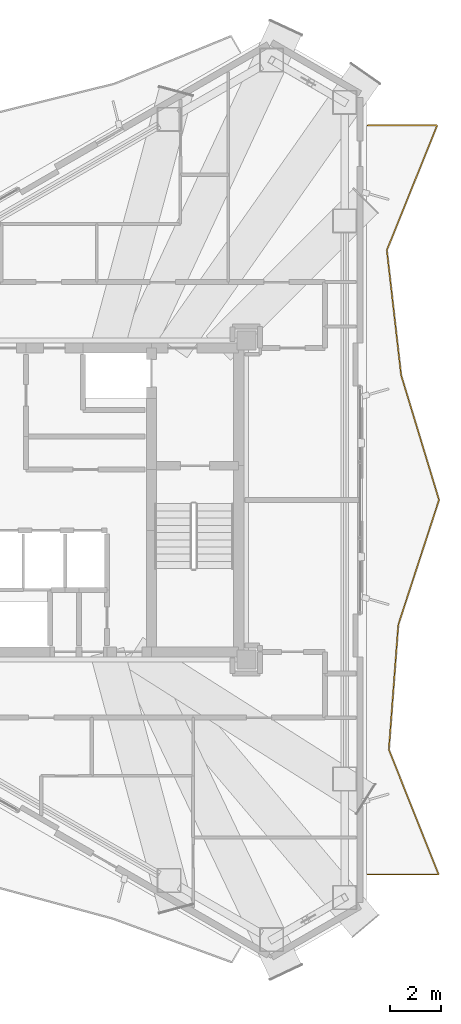
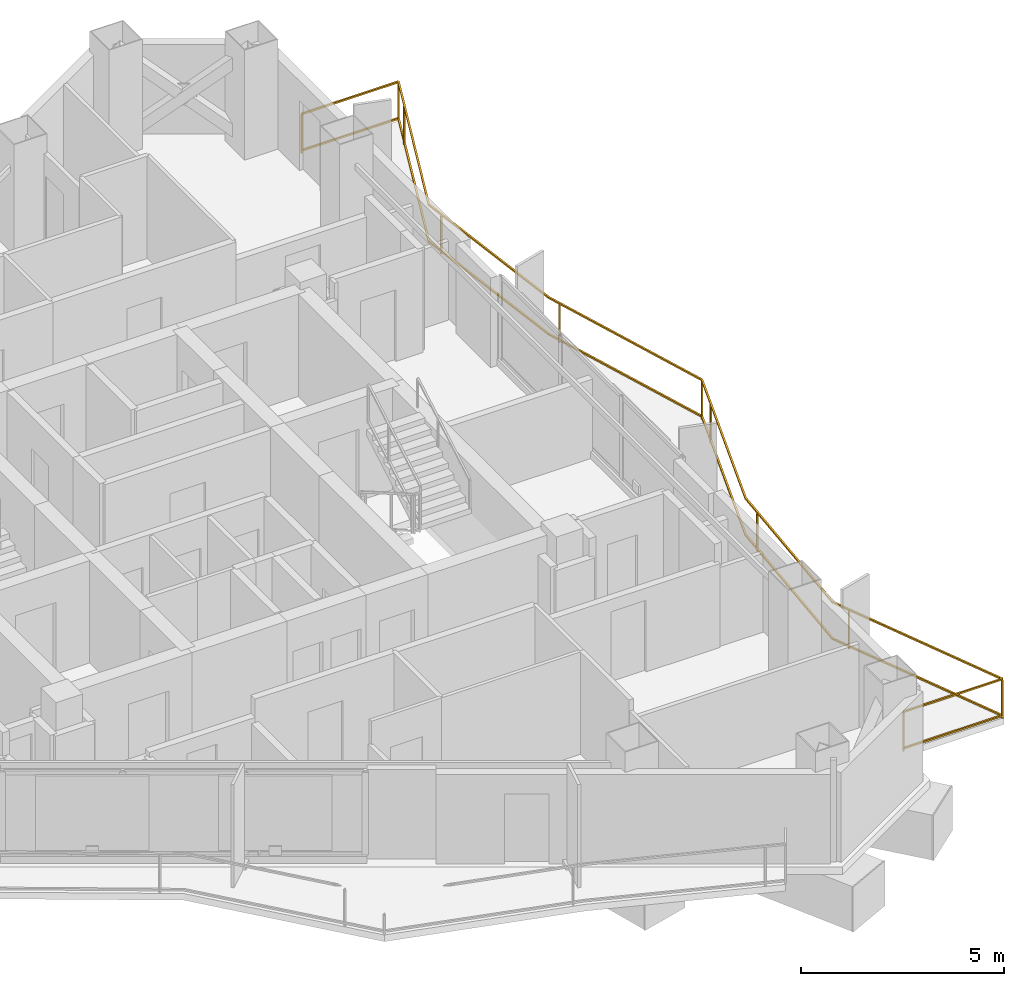
# One storey, part 19 of 19: 1 railing.
"""IFC4 building model written with IfcOpenShell, lengths in metres."""

from ifc_helpers import new_model, si_unit, direction, frame, origin, origin_2d, place, context, subcontext, project, spatial, rectangle, extrude, material, type_object, element, save


model = new_model("IFC4")

# Units and contexts
model_context = context("Model", 3, precision=1e-05, world=origin(), true_north=direction((0.0, 1.0)))
body_context = subcontext(model_context, "Body", "Model", "MODEL_VIEW")
ifc_project = project(units=[si_unit("LENGTHUNIT", "METRE"), si_unit("AREAUNIT", "SQUARE_METRE"), si_unit("VOLUMEUNIT", "CUBIC_METRE"), si_unit("PLANEANGLEUNIT", "RADIAN"), si_unit("MASSUNIT", "GRAM", prefix="KILO")], contexts=[model_context])

# Site, building, storey
site_placement = place(None, origin())
site = spatial("IfcSite", under=ifc_project, at=site_placement, CompositionType="ELEMENT")
building_placement = place(site_placement, origin())
building = spatial("IfcBuilding", under=site, at=building_placement, Name="Mersakhor Tower and Convention Hall", CompositionType="ELEMENT")
storey_placement = place(building_placement, frame((0.0, 0.0, 175.5)))
storey = spatial("IfcBuildingStorey", under=building, at=storey_placement, Name="L48", CompositionType="ELEMENT", Elevation=175.5)

# Railing
ifc_material = material(Name="Powder-coated galvanised steel and laminated glass balustrade", Category="steel")
railing_type = type_object("IfcRailingType", Name="RL-BAL-1200", PredefinedType="BALUSTRADE", material=ifc_material)
railing_placement = place(storey_placement, frame((40.888427734375, 11.957275390625, 0.0)))
element("IfcRailing", 1, at=railing_placement, inside=storey, type_object=railing_type, Name="L48 Sinusoidal Balcony Balustrade F2", PredefinedType="BALUSTRADE", context=body_context, shape_type="SweptSolid", body=[
    extrude(rectangle(XDim=0.048095703125, YDim=0.048095703125, at=origin_2d()), frame((0.0, 0.0, 1.17578125), z_axis=(1.0, 0.0, 0.0), x_axis=(0.0, 1.0, 0.0)), (0.0, 0.0, 1.0), 2.802490234375),
    extrude(rectangle(XDim=0.048095703125, YDim=0.048095703125, at=origin_2d()), frame((0.0, 0.0, 0.080078125), z_axis=(1.0, 0.0, 0.0), x_axis=(0.0, 1.0, 0.0)), (0.0, 0.0, 1.0), 2.802490234375),
    extrude(rectangle(XDim=0.048095703125, YDim=0.048095703125, at=origin_2d()), frame((2.802490234375, 0.0, 1.17578125), z_axis=(-0.36973236207, 0.929138299952, 0.0), x_axis=(-0.929138299952, -0.36973236207, 0.0)), (0.0, 0.0, 1.0), 5.306884765625),
    extrude(rectangle(XDim=0.048095703125, YDim=0.048095703125, at=origin_2d()), frame((2.802490234375, 0.0, 0.080078125), z_axis=(-0.36973236207, 0.929138299952, 0.0), x_axis=(-0.929138299952, -0.36973236207, 0.0)), (0.0, 0.0, 1.0), 5.306884765625),
    extrude(rectangle(XDim=0.048095703125, YDim=0.048095703125, at=origin_2d()), frame((0.84033203125, 4.930908203125, 1.17578125), z_axis=(0.075193756436, 0.997168942052, 0.0), x_axis=(-0.997168942052, 0.075193756436, 0.0)), (0.0, 0.0, 1.0), 4.94482421875),
    extrude(rectangle(XDim=0.048095703125, YDim=0.048095703125, at=origin_2d()), frame((0.84033203125, 4.930908203125, 0.080078125), z_axis=(0.075193756436, 0.997168942052, 0.0), x_axis=(-0.997168942052, 0.075193756436, 0.0)), (0.0, 0.0, 1.0), 4.94482421875),
    extrude(rectangle(XDim=0.048095703125, YDim=0.048095703125, at=origin_2d()), frame((1.212158203125, 9.86181640625, 1.17578125), z_axis=(0.310021524798, 0.950729537861, 0.0), x_axis=(-0.950729537861, 0.310021524798, 0.0)), (0.0, 0.0, 1.0), 5.1865234375),
    extrude(rectangle(XDim=0.048095703125, YDim=0.048095703125, at=origin_2d()), frame((1.212158203125, 9.86181640625, 0.080078125), z_axis=(0.310021524798, 0.950729537861, 0.0), x_axis=(-0.950729537861, 0.310021524798, 0.0)), (0.0, 0.0, 1.0), 5.1865234375),
    extrude(rectangle(XDim=0.048095703125, YDim=0.048095703125, at=origin_2d()), frame((2.820068359375, 14.792724609375, 1.17578125), z_axis=(-0.290341384944, 0.956923131808, 0.0), x_axis=(-0.956923131808, -0.290341384944, 0.0)), (0.0, 0.0, 1.0), 5.15283203125),
    extrude(rectangle(XDim=0.048095703125, YDim=0.048095703125, at=origin_2d()), frame((2.820068359375, 14.792724609375, 0.080078125), z_axis=(-0.290341384944, 0.956923131808, 0.0), x_axis=(-0.956923131808, -0.290341384944, 0.0)), (0.0, 0.0, 1.0), 5.15283203125),
    extrude(rectangle(XDim=0.048095703125, YDim=0.048095703125, at=origin_2d()), frame((1.323974609375, 19.7236328125, 1.17578125), z_axis=(-0.113584049844, 0.993528390949, 0.0), x_axis=(-0.993528390949, -0.113584049844, 0.0)), (0.0, 0.0, 1.0), 4.963134765625),
    extrude(rectangle(XDim=0.048095703125, YDim=0.048095703125, at=origin_2d()), frame((1.323974609375, 19.7236328125, 0.080078125), z_axis=(-0.113584049844, 0.993528390949, 0.0), x_axis=(-0.993528390949, -0.113584049844, 0.0)), (0.0, 0.0, 1.0), 4.963134765625),
    extrude(rectangle(XDim=0.048095703125, YDim=0.048095703125, at=origin_2d()), frame((0.76025390625, 24.654541015625, 1.17578125), z_axis=(0.373851744481, 0.927488476019, 0.0), x_axis=(-0.927488476019, 0.373851744481, 0.0)), (0.0, 0.0, 1.0), 5.31640625),
    extrude(rectangle(XDim=0.048095703125, YDim=0.048095703125, at=origin_2d()), frame((0.76025390625, 24.654541015625, 0.080078125), z_axis=(0.373851744481, 0.927488476019, 0.0), x_axis=(-0.927488476019, 0.373851744481, 0.0)), (0.0, 0.0, 1.0), 5.31640625),
    extrude(rectangle(XDim=0.048095703125, YDim=0.048095703125, at=origin_2d()), frame((2.747802734375, 29.58544921875, 1.17578125), z_axis=(-1.0, 0.0, 0.0), x_axis=(0.0, -1.0, 0.0)), (0.0, 0.0, 1.0), 2.747802734375),
    extrude(rectangle(XDim=0.048095703125, YDim=0.048095703125, at=origin_2d()), frame((2.747802734375, 29.58544921875, 0.080078125), z_axis=(-1.0, 0.0, 0.0), x_axis=(0.0, -1.0, 0.0)), (0.0, 0.0, 1.0), 2.747802734375),
    extrude(rectangle(XDim=0.0419921875, YDim=0.0419921875, at=origin_2d()), origin(), (0.0, 0.0, 1.0), 1.15185546875),
    extrude(rectangle(XDim=0.0419921875, YDim=0.0419921875, at=origin_2d()), frame((2.802490234375, 0.0, 0.0)), (0.0, 0.0, 1.0), 1.15185546875),
    extrude(rectangle(XDim=0.0419921875, YDim=0.0419921875, at=origin_2d()), frame((1.02783203125, 4.4599609375, 0.0)), (0.0, 0.0, 1.0), 1.15185546875),
    extrude(rectangle(XDim=0.0419921875, YDim=0.0419921875, at=origin_2d()), frame((1.1630859375, 9.211669921875, 0.0)), (0.0, 0.0, 1.0), 1.15185546875),
    extrude(rectangle(XDim=0.0419921875, YDim=0.0419921875, at=origin_2d()), frame((2.498046875, 13.8056640625, 0.0)), (0.0, 0.0, 1.0), 1.15185546875),
    extrude(rectangle(XDim=0.0419921875, YDim=0.0419921875, at=origin_2d()), frame((2.820068359375, 14.792724609375, 0.0)), (0.0, 0.0, 1.0), 1.15185546875),
    extrude(rectangle(XDim=0.0419921875, YDim=0.0419921875, at=origin_2d()), frame((1.426513671875, 19.385986328125, 0.0)), (0.0, 0.0, 1.0), 1.15185546875),
    extrude(rectangle(XDim=0.0419921875, YDim=0.0419921875, at=origin_2d()), frame((0.81884765625, 24.14208984375, 0.0)), (0.0, 0.0, 1.0), 1.15185546875),
    extrude(rectangle(XDim=0.0419921875, YDim=0.0419921875, at=origin_2d()), frame((2.36181640625, 28.6279296875, 0.0)), (0.0, 0.0, 1.0), 1.15185546875),
    extrude(rectangle(XDim=0.0419921875, YDim=0.0419921875, at=origin_2d()), frame((2.747802734375, 29.58544921875, 0.0)), (0.0, 0.0, 1.0), 1.15185546875),
    extrude(rectangle(XDim=0.0419921875, YDim=0.0419921875, at=origin_2d()), frame((0.0, 29.58544921875, 0.0)), (0.0, 0.0, 1.0), 1.15185546875),
])

save(model, "model.ifc")
